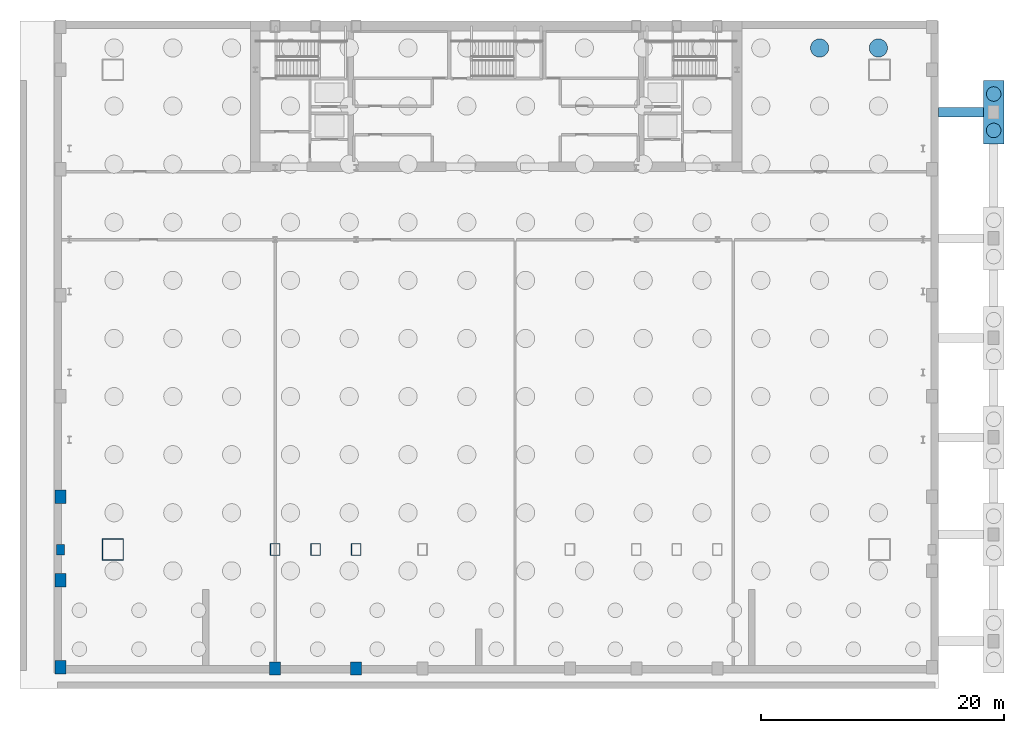
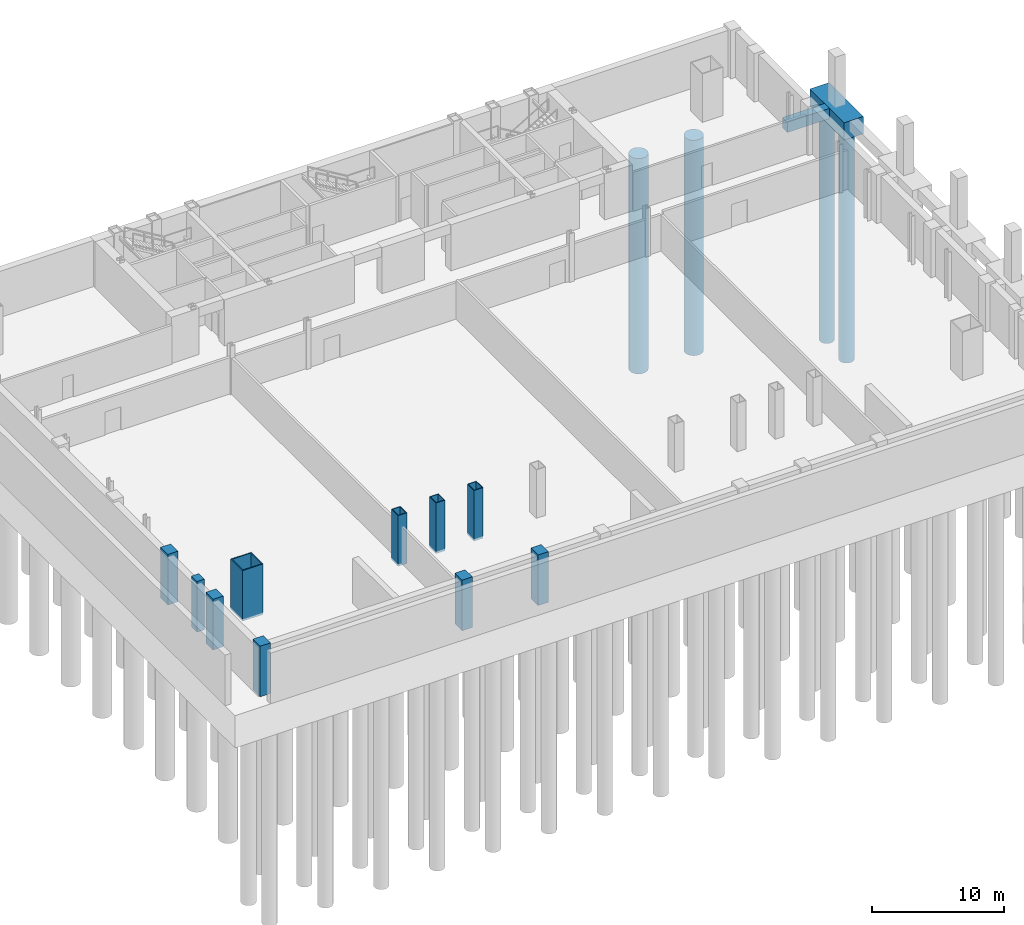
# One storey, part 2 of 11: 10 columns, 4 piles, 2 footings.
"""IFC4 building model written with IfcOpenShell, lengths in metres."""

from ifc_helpers import new_model, si_unit, direction, frame, origin, origin_2d, place, context, subcontext, project, spatial, polyline, rectangle, hollow_rectangle, circle, outline, extrude, material, layer, layer_set, material_profile, profile_set, type_object, element, save


model = new_model("IFC4")

# Units and contexts
model_context = context("Model", 3, precision=1e-05, world=origin(), true_north=direction((0.0, 1.0)))
body_context = subcontext(model_context, "Body", "Model", "MODEL_VIEW")
ifc_project = project(units=[si_unit("LENGTHUNIT", "METRE"), si_unit("AREAUNIT", "SQUARE_METRE"), si_unit("VOLUMEUNIT", "CUBIC_METRE"), si_unit("PLANEANGLEUNIT", "RADIAN"), si_unit("MASSUNIT", "GRAM", prefix="KILO")], contexts=[model_context])

# Site, building, storey
site_placement = place(None, origin())
site = spatial("IfcSite", under=ifc_project, at=site_placement, CompositionType="ELEMENT")
building_placement = place(site_placement, origin())
building = spatial("IfcBuilding", under=site, at=building_placement, Name="Khoronbel Lancet Exchange", CompositionType="ELEMENT")
storey_placement = place(building_placement, frame((0.0, 0.0, -9.0)))
storey = spatial("IfcBuildingStorey", under=building, at=storey_placement, Name="B2", CompositionType="ELEMENT", Elevation=-9.0)

# Footings
ifc_material_1 = material(Name="Concrete C50/60", Category="concrete")
ifc_material_profile_1 = material_profile(ifc_material_1, rectangle(XDim=0.75, YDim=0.949951171875, at=origin_2d()), Name="RC 750x950")
ifc_profile_set_1 = profile_set([ifc_material_profile_1], Name="Concrete C50/60")
footing_type_1 = type_object("IfcFootingType", Name="FT-GB1", PredefinedType="FOOTING_BEAM", material=ifc_profile_set_1)
footing_1_placement = place(storey_placement, frame((72.89990234375, 46.199951171875, -0.675048828125), z_axis=(1.0, 0.0, 0.0), x_axis=(0.0, 1.0, 0.0)))
element("IfcFooting", 1, at=footing_1_placement, inside=storey, type_object=footing_type_1, Name="Foundation tie beam GB-EW6", PredefinedType="FOOTING_BEAM", context=body_context, shape_type="SweptSolid", body=[
    extrude(rectangle(XDim=0.75, YDim=0.949951171875, at=origin_2d()), origin(), (0.0, 0.0, 1.0), 3.7001953125),
])
ifc_layer = layer(ifc_material_1, 1.60009765625, Name="Concrete C50/60")
ifc_layer_set = layer_set([ifc_layer], Name="Concrete C50/60")
footing_type_2 = type_object("IfcFootingType", Name="FT-PC2", PredefinedType="PILE_CAP", material=ifc_layer_set)
footing_2_placement = place(storey_placement, frame((0.0, 0.0, -1.800048828125)))
element("IfcFooting", 2, at=footing_2_placement, inside=storey, type_object=footing_type_2, Name="East colonnade pile cap PC6", PredefinedType="PILE_CAP", context=body_context, shape_type="SweptSolid", body=[
    extrude(outline(polyline([(76.60009765625, 43.60009765625), (78.300048828125, 43.60009765625), (78.300048828125, 48.800048828125), (76.60009765625, 48.800048828125), (76.60009765625, 43.60009765625)])), origin(), (0.0, 0.0, 1.0), 1.60009765625),
])

# Piles
ifc_material_profile_2 = material_profile(ifc_material_1, circle(Radius=0.60009765625, at=origin_2d()), Name="BORED PILE D1200")
ifc_profile_set_2 = profile_set([ifc_material_profile_2], Name="Concrete C50/60")
pile_type_1 = type_object("IfcPileType", Name="PL-P1", PredefinedType="BORED", material=ifc_profile_set_2)
for number, where, z_axis, x_axis, name in (
    (3, (77.449951171875, 44.699951171875, -1.64990234375), (0.0, 0.0, -1.0), (1.0, 0.0, 0.0), "Bored pile P1-PC6-1"),
    (4, (77.449951171875, 47.699951171875, -1.64990234375), (0.0, 0.0, -1.0), (1.0, 0.0, 0.0), "Bored pile P1-PC6-2"),
):
    element("IfcPile", number, at=place(storey_placement, frame(where, z_axis=z_axis, x_axis=x_axis)), inside=storey, type_object=pile_type_1, Name=name, PredefinedType="BORED", context=body_context, shape_type="SweptSolid", body=[
        extrude(circle(Radius=0.60009765625, at=origin_2d()), origin(), (0.0, 0.0, 1.0), 21.39990234375),
    ])
ifc_material_profile_3 = material_profile(ifc_material_1, circle(Radius=0.75, at=origin_2d()), Name="BORED PILE D1500")
ifc_profile_set_3 = profile_set([ifc_material_profile_3], Name="Concrete C50/60")
pile_type_2 = type_object("IfcPileType", Name="PL-P2", PredefinedType="BORED", material=ifc_profile_set_3)
for number, where, z_axis, x_axis, name in (
    (5, (63.10205078125, 51.491943359375, -3.050048828125), (0.0, 0.0, -1.0), (1.0, 0.0, 0.0), "Tower raft bored pile P2-130"),
    (6, (67.947998046875, 51.491943359375, -3.050048828125), (0.0, 0.0, -1.0), (1.0, 0.0, 0.0), "Tower raft bored pile P2-140"),
):
    element("IfcPile", number, at=place(storey_placement, frame(where, z_axis=z_axis, x_axis=x_axis)), inside=storey, type_object=pile_type_2, Name=name, PredefinedType="BORED", context=body_context, shape_type="SweptSolid", body=[
        extrude(circle(Radius=0.75, at=origin_2d()), origin(), (0.0, 0.0, 1.0), 20.0),
    ])

# Columns
ifc_material_2 = material(Name="Steel S460", Category="steel")
ifc_material_profile_4 = material_profile(ifc_material_2, hollow_rectangle(XDim=0.800048828125, YDim=1.0, WallThickness=0.054931640625, at=origin_2d()), Name="BOX 1000x800x55")
ifc_profile_set_4 = profile_set([ifc_material_profile_4], Name="Steel S460")
column_type_1 = type_object("IfcColumnType", Name="COL-EC1", PredefinedType="COLUMN", material=ifc_profile_set_4)
for number, where, z_axis, x_axis, name in (
    (7, (18.22509765625, 10.14990234375, -0.199951171875), (0.0, 0.0, 1.0), (1.0, 0.0, 0.0), "Structural column SC-W1 B2"),
    (8, (21.5625, 10.14990234375, -0.199951171875), (0.0, 0.0, 1.0), (1.0, 0.0, 0.0), "Structural column SC-WM B2"),
    (9, (24.89990234375, 10.14990234375, -0.199951171875), (0.0, 0.0, 1.0), (1.0, 0.0, 0.0), "Structural column SC-W2 B2"),
):
    element("IfcColumn", number, at=place(storey_placement, frame(where, z_axis=z_axis, x_axis=x_axis)), inside=storey, type_object=column_type_1, Name=name, PredefinedType="COLUMN", context=body_context, shape_type="SweptSolid", body=[
        extrude(hollow_rectangle(XDim=0.800048828125, YDim=1.0, WallThickness=0.054931640625, at=origin_2d()), origin(), (0.0, 0.0, 1.0), 4.699951171875),
    ])
ifc_material_profile_5 = material_profile(ifc_material_2, hollow_rectangle(XDim=1.800048828125, YDim=1.800048828125, WallThickness=0.080078125, at=origin_2d()), Name="BOX 1800x1800x80")
ifc_profile_set_5 = profile_set([ifc_material_profile_5], Name="Steel S460")
column_type_2 = type_object("IfcColumnType", Name="COL-MC1", PredefinedType="COLUMN", material=ifc_profile_set_5)
column_1_placement = place(storey_placement, frame((4.85009765625, 10.14990234375, -0.199951171875), z_axis=(0.0, 0.0, 1.0), x_axis=(1.0, 0.0, 0.0)))
element("IfcColumn", 10, at=column_1_placement, inside=storey, type_object=column_type_2, Name="Structural column MC-SW B2", PredefinedType="COLUMN", context=body_context, shape_type="SweptSolid", body=[
    extrude(hollow_rectangle(XDim=1.800048828125, YDim=1.800048828125, WallThickness=0.080078125, at=origin_2d()), origin(), (0.0, 0.0, 1.0), 4.699951171875),
])
ifc_material_3 = material(Name="Concrete C60/75", Category="concrete")
ifc_material_profile_6 = material_profile(ifc_material_3, rectangle(XDim=0.89990234375, YDim=1.10009765625, at=origin_2d()), Name="RC 900x1100")
ifc_profile_set_6 = profile_set([ifc_material_profile_6], Name="Concrete C60/75")
column_type_3 = type_object("IfcColumnType", Name="COL-PIL1", PredefinedType="PILASTER", material=ifc_profile_set_6)
for number, where, z_axis, x_axis, name in (
    (11, (0.550048828125, 7.6201171875, -0.199951171875), (0.0, 0.0, 1.0), (1.0, 0.0, 0.0), "Podium Gothic colonnade pilaster SWP B2"),
    (12, (0.550048828125, 14.5, -0.199951171875), (0.0, 0.0, 1.0), (1.0, 0.0, 0.0), "Podium Gothic colonnade pilaster W1 B2"),
    (13, (0.550048828125, 0.449951171875, -0.199951171875), (0.0, 0.0, 1.0), (1.0, 0.0, 0.0), "Podium Gothic colonnade pilaster S0W B2"),
    (14, (18.22509765625, 0.35009765625, -0.199951171875), (0.0, 0.0, 1.0), (1.0, 0.0, 0.0), "Substructure south perimeter column SB1 B2"),
    (15, (24.89990234375, 0.35009765625, -0.199951171875), (0.0, 0.0, 1.0), (1.0, 0.0, 0.0), "Substructure south perimeter column SB2 B2"),
):
    element("IfcColumn", number, at=place(storey_placement, frame(where, z_axis=z_axis, x_axis=x_axis)), inside=storey, type_object=column_type_3, Name=name, PredefinedType="PILASTER", context=body_context, shape_type="SweptSolid", body=[
        extrude(rectangle(XDim=0.89990234375, YDim=1.10009765625, at=origin_2d()), origin(), (0.0, 0.0, 1.0), 4.699951171875),
    ])
ifc_material_profile_7 = material_profile(ifc_material_3, rectangle(XDim=0.64990234375, YDim=0.85009765625, at=origin_2d()), Name="RC 650x850")
ifc_profile_set_7 = profile_set([ifc_material_profile_7], Name="Concrete C60/75")
column_type_4 = type_object("IfcColumnType", Name="COL-PIL3", PredefinedType="PILASTER", material=ifc_profile_set_7)
column_2_placement = place(storey_placement, frame((0.550048828125, 10.14990234375, -0.199951171875), z_axis=(0.0, 0.0, 1.0), x_axis=(1.0, 0.0, 0.0)))
element("IfcColumn", 16, at=column_2_placement, inside=storey, type_object=column_type_4, Name="Podium Gothic colonnade pilaster WMC B2", PredefinedType="PILASTER", context=body_context, shape_type="SweptSolid", body=[
    extrude(rectangle(XDim=0.64990234375, YDim=0.85009765625, at=origin_2d()), origin(), (0.0, 0.0, 1.0), 4.699951171875),
])

save(model, "model.ifc")
